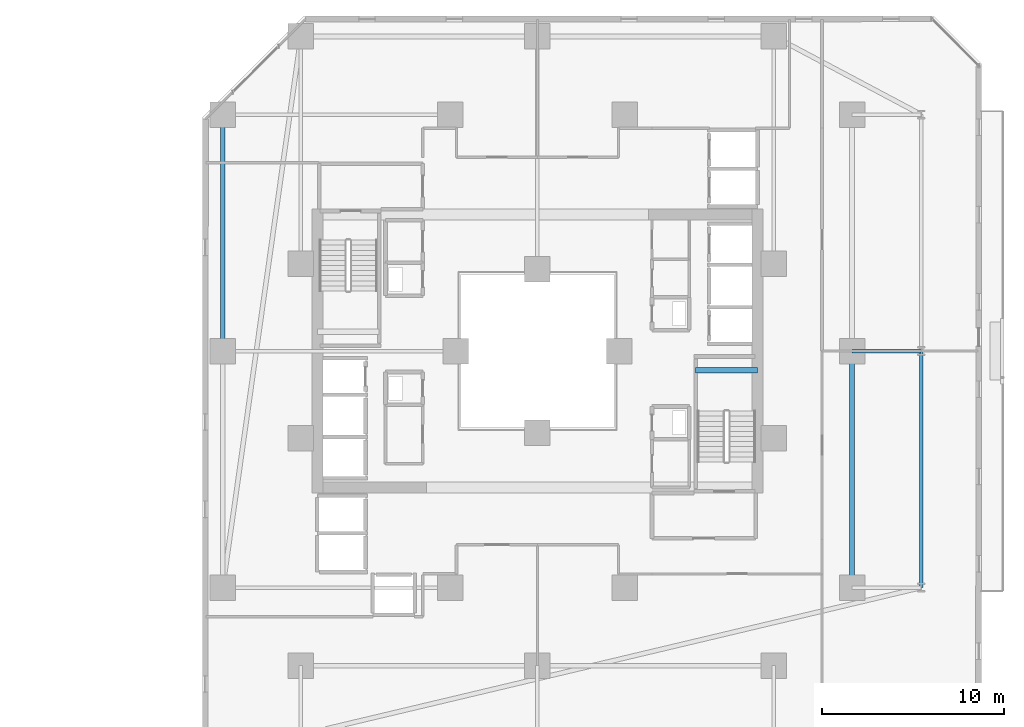
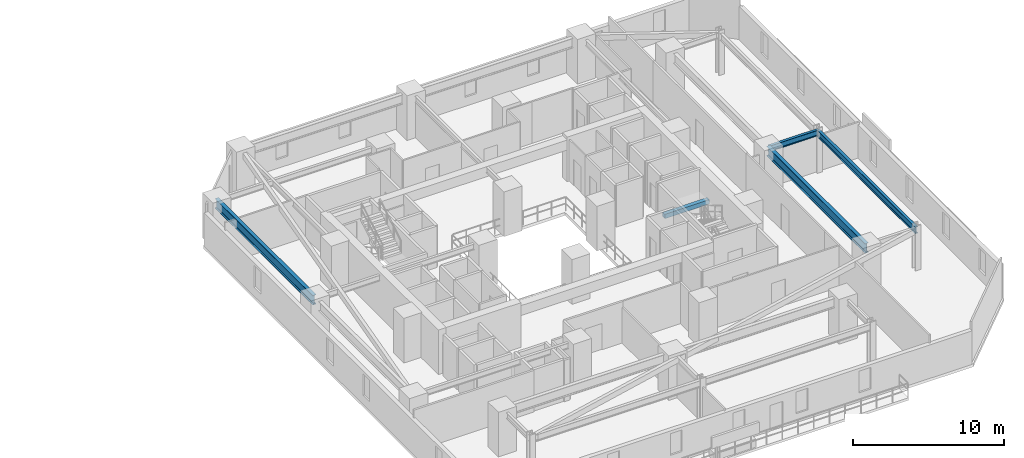
# One storey, part 13 of 33: 5 beams.
"""IFC4 building model written with IfcOpenShell, lengths in metres."""

from ifc_helpers import new_model, si_unit, direction, frame, origin, origin_2d, place, context, subcontext, project, spatial, rectangle, i_section, extrude, material, material_profile, profile_set, type_object, element, save


model = new_model("IFC4")

# Units and contexts
model_context = context("Model", 3, precision=1e-05, world=origin(), true_north=direction((0.0, 1.0)))
body_context = subcontext(model_context, "Body", "Model", "MODEL_VIEW")
ifc_project = project(units=[si_unit("LENGTHUNIT", "METRE"), si_unit("AREAUNIT", "SQUARE_METRE"), si_unit("VOLUMEUNIT", "CUBIC_METRE"), si_unit("PLANEANGLEUNIT", "RADIAN"), si_unit("MASSUNIT", "GRAM", prefix="KILO")], contexts=[model_context])

# Site, building, storey
site_placement = place(None, origin())
site = spatial("IfcSite", under=ifc_project, at=site_placement, CompositionType="ELEMENT")
building_placement = place(site_placement, origin())
building = spatial("IfcBuilding", under=site, at=building_placement, Name="Thornwick Lancets Civic Towers", CompositionType="ELEMENT")
storey_placement = place(building_placement, frame((0.0, 0.0, 35.10009765625)))
storey = spatial("IfcBuildingStorey", under=building, at=storey_placement, Name="L08", CompositionType="ELEMENT", Elevation=35.10009765625)

# Beams
ifc_material_1 = material(Name="Steel S355JR", Category="steel")
ifc_material_profile_1 = material_profile(ifc_material_1, i_section(OverallWidth=0.2119140625, OverallDepth=0.54443359375, WebThickness=0.0126953125, FlangeThickness=0.021240234375, FilletRadius=0.0126953125, at=origin_2d()), Name="UKB 533x210x122")
ifc_profile_set_1 = profile_set([ifc_material_profile_1], Name="Steel S355JR")
beam_type_1 = type_object("IfcBeamType", Name="BM_EDGE_533_122", PredefinedType="SPANDREL", material=ifc_profile_set_1)
beam_1_placement = place(storey_placement, frame((109.60009765625, 14.0, 3.087646484375), z_axis=(0.0, 1.0, 0.0), x_axis=(-1.0, 0.0, 0.0)))
element("IfcBeam", 1, at=beam_1_placement, inside=storey, type_object=beam_type_1, Name="BM-EDGE-L08-B-S0-1", PredefinedType="SPANDREL", context=body_context, shape_type="SweptSolid", body=[
    extrude(i_section(OverallWidth=0.2119140625, OverallDepth=0.54443359375, WebThickness=0.0126953125, FlangeThickness=0.021240234375, FilletRadius=0.0126953125, at=origin_2d()), origin(), (0.0, 0.0, 1.0), 13.0),
])
ifc_material_profile_2 = material_profile(ifc_material_1, i_section(OverallWidth=0.26806640625, OverallDepth=0.769775390625, WebThickness=0.015625, FlangeThickness=0.025390625, FilletRadius=0.0166015625, at=origin_2d()), Name="UKB 762x267x197")
ifc_profile_set_2 = profile_set([ifc_material_profile_2], Name="Steel S355JR")
beam_type_2 = type_object("IfcBeamType", Name="BM_GIRD_762_197", PredefinedType="BEAM", material=ifc_profile_set_2)
beam_2_placement = place(storey_placement, frame((105.800048828125, 14.0, 2.97509765625), z_axis=(0.0, 1.0, 0.0), x_axis=(-1.0, 0.0, 0.0)))
element("IfcBeam", 2, at=beam_2_placement, inside=storey, type_object=beam_type_2, Name="BM-SPINE-L08-B-0-1", PredefinedType="BEAM", context=body_context, shape_type="SweptSolid", body=[
    extrude(i_section(OverallWidth=0.26806640625, OverallDepth=0.769775390625, WebThickness=0.015625, FlangeThickness=0.025390625, FilletRadius=0.0166015625, at=origin_2d()), origin(), (0.0, 0.0, 1.0), 13.0),
])
beam_3_placement = place(storey_placement, frame((71.199951171875, 27.080078125, 2.97509765625), z_axis=(0.0, 1.0, 0.0), x_axis=(-1.0, 0.0, 0.0)))
element("IfcBeam", 3, at=beam_3_placement, inside=storey, type_object=beam_type_2, Name="BM-SPINE-L08-B-7-8", PredefinedType="BEAM", context=body_context, shape_type="SweptSolid", body=[
    extrude(i_section(OverallWidth=0.26806640625, OverallDepth=0.769775390625, WebThickness=0.015625, FlangeThickness=0.025390625, FilletRadius=0.0166015625, at=origin_2d()), origin(), (0.0, 0.0, 1.0), 12.919921875),
])
ifc_material_profile_3 = material_profile(ifc_material_1, i_section(OverallWidth=0.19287109375, OverallDepth=0.46728515625, WebThickness=0.011474609375, FlangeThickness=0.01953125, FilletRadius=0.01025390625, at=origin_2d()), Name="UKB 457x191x98")
ifc_profile_set_3 = profile_set([ifc_material_profile_3], Name="Steel S355JR")
beam_type_3 = type_object("IfcBeamType", Name="BM_JOIST_457_98", PredefinedType="JOIST", material=ifc_profile_set_3)
beam_4_placement = place(storey_placement, frame((105.800048828125, 27.0, 3.126220703125), z_axis=(1.0, 0.0, 0.0), x_axis=(0.0, 1.0, 0.0)))
element("IfcBeam", 4, at=beam_4_placement, inside=storey, type_object=beam_type_3, Name="BM-RAD-L08-B02", PredefinedType="JOIST", context=body_context, shape_type="SweptSolid", body=[
    extrude(i_section(OverallWidth=0.19287109375, OverallDepth=0.46728515625, WebThickness=0.011474609375, FlangeThickness=0.01953125, FilletRadius=0.01025390625, at=origin_2d()), origin(), (0.0, 0.0, 1.0), 3.800048828125),
])
ifc_material_2 = material(Name="Concrete C40/50", Category="concrete")
ifc_material_profile_4 = material_profile(ifc_material_2, rectangle(XDim=0.300048828125, YDim=0.35009765625, at=origin_2d()), Name="RC 300x350")
ifc_profile_set_4 = profile_set([ifc_material_profile_4], Name="Concrete C40/50")
beam_type_4 = type_object("IfcBeamType", Name="BM_STAIR_LDG", PredefinedType="BEAM", material=ifc_profile_set_4)
beam_5_placement = place(storey_placement, frame((100.60009765625, 25.93505859375, 1.3779296875), z_axis=(-1.0, 0.0, 0.0), x_axis=(0.0, -1.0, 0.0)))
element("IfcBeam", 5, at=beam_5_placement, inside=storey, type_object=beam_type_4, Name="L08 ST-B1 Landing Support Beam 1", PredefinedType="BEAM", context=body_context, shape_type="SweptSolid", body=[
    extrude(rectangle(XDim=0.300048828125, YDim=0.35009765625, at=origin_2d()), origin(), (0.0, 0.0, 1.0), 3.400146484375),
])

save(model, "model.ifc")
